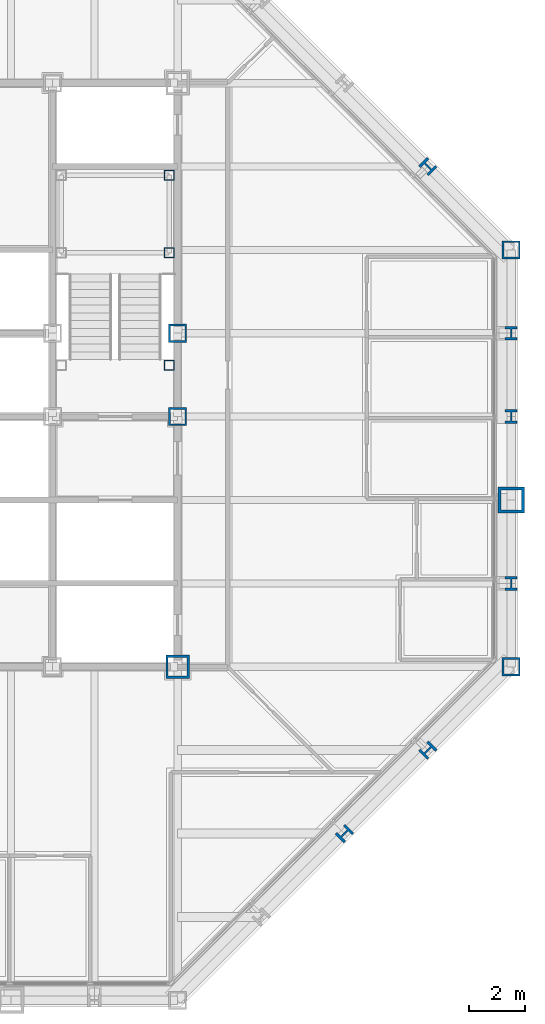
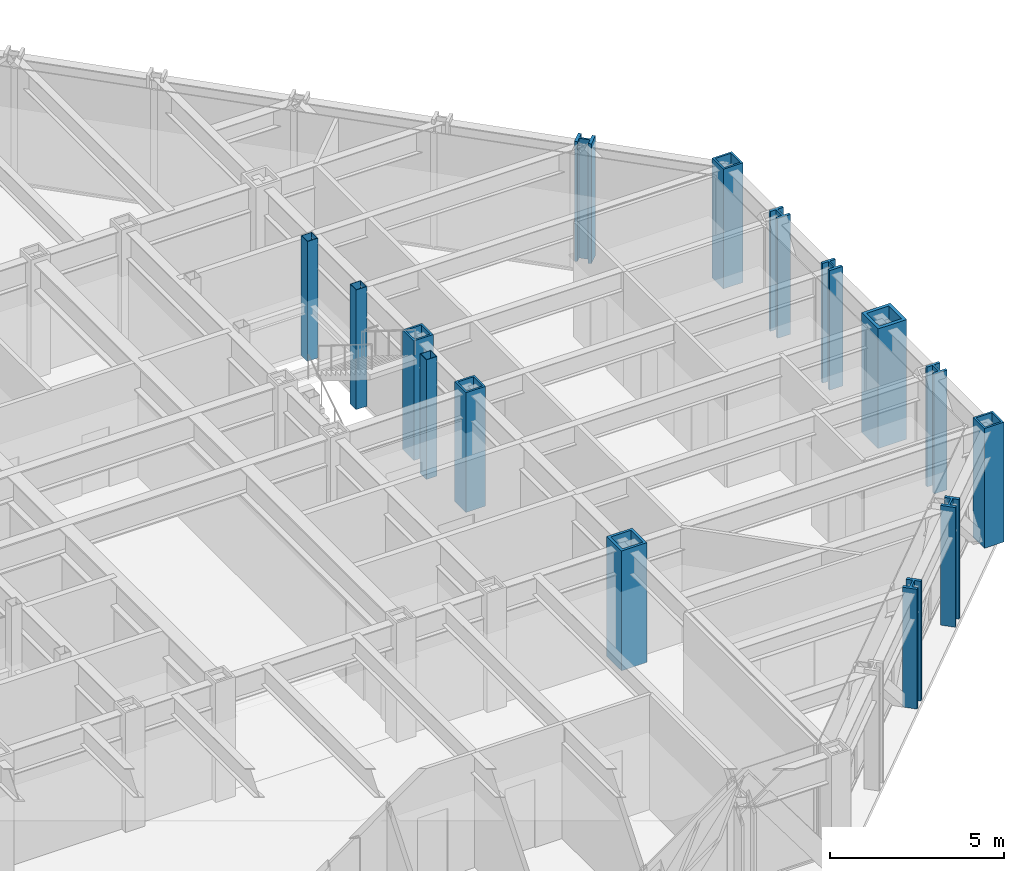
# One storey, part 2 of 15: 15 columns.
"""IFC4 building model written with IfcOpenShell, lengths in metres."""

from ifc_helpers import new_model, si_unit, direction, frame, origin, origin_2d, place, context, subcontext, project, spatial, hollow_rectangle, i_section, extrude, material, material_profile, profile_set, type_object, element, save


model = new_model("IFC4")

# Units and contexts
model_context = context("Model", 3, precision=1e-05, world=origin(), true_north=direction((0.0, 1.0)))
body_context = subcontext(model_context, "Body", "Model", "MODEL_VIEW")
ifc_project = project(units=[si_unit("LENGTHUNIT", "METRE"), si_unit("AREAUNIT", "SQUARE_METRE"), si_unit("VOLUMEUNIT", "CUBIC_METRE"), si_unit("PLANEANGLEUNIT", "RADIAN"), si_unit("MASSUNIT", "GRAM", prefix="KILO")], contexts=[model_context])

# Site, building, storey
site_placement = place(None, origin())
site = spatial("IfcSite", under=ifc_project, at=site_placement, CompositionType="ELEMENT")
building_placement = place(site_placement, origin())
building = spatial("IfcBuilding", under=site, at=building_placement, Name="Chuquiago Exchange Tower", CompositionType="ELEMENT")
storey_placement = place(building_placement, frame((0.0, 0.0, 192.89990234375)))
storey = spatial("IfcBuildingStorey", under=building, at=storey_placement, Name="L42", CompositionType="ELEMENT", Elevation=192.89990234375)

# Columns
ifc_material_1 = material(Name="Steel ASTM A992", Category="steel")
ifc_material_profile_1 = material_profile(ifc_material_1, i_section(OverallWidth=0.431884765625, OverallDepth=0.497802734375, WebThickness=0.0556640625, FlangeThickness=0.0888671875, at=origin_2d()), Name="W14X500")
ifc_profile_set_1 = profile_set([ifc_material_profile_1], Name="Steel ASTM A992")
column_type_1 = type_object("IfcColumnType", Name="C4 W14X500", PredefinedType="COLUMN", material=ifc_profile_set_1)
for number, where, z_axis, x_axis, name in (
    (1, (45.0, 15.0, 0.0), (0.0, 0.0, 1.0), (1.0, 0.0, 0.0), "COL-L42-45_15"),
    (2, (45.0, 21.0, 0.0), (0.0, 0.0, 1.0), (1.0, 0.0, 0.0), "COL-L42-45_21"),
    (3, (45.0, 24.0, 0.0), (0.0, 0.0, 1.0), (1.0, 0.0, 0.0), "COL-L42-45_24"),
):
    element("IfcColumn", number, at=place(storey_placement, frame(where, z_axis=z_axis, x_axis=x_axis)), inside=storey, type_object=column_type_1, Name=name, PredefinedType="COLUMN", context=body_context, shape_type="SweptSolid", body=[
        extrude(i_section(OverallWidth=0.431884765625, OverallDepth=0.497802734375, WebThickness=0.0556640625, FlangeThickness=0.0888671875, at=origin_2d()), origin(), (0.0, 0.0, 1.0), 4.2001953125),
    ])
ifc_material_2 = material(Name="Steel ASTM A572 Grade 50", Category="steel")
ifc_material_profile_2 = material_profile(ifc_material_2, hollow_rectangle(XDim=0.64990234375, YDim=0.64990234375, WallThickness=0.06494140625, at=origin_2d()), Name="BOX650X650X65")
ifc_profile_set_2 = profile_set([ifc_material_profile_2], Name="Steel ASTM A572 Grade 50")
column_type_2 = type_object("IfcColumnType", Name="CC4 BOX650X650X65", PredefinedType="COLUMN", material=ifc_profile_set_2)
for number, where, z_axis, x_axis, name in (
    (4, (33.0, 21.0, 0.0), (0.0, 0.0, 1.0), (1.0, 0.0, 0.0), "CCOL-L42-33_21"),
    (5, (33.0, 24.0, 0.0), (0.0, 0.0, 1.0), (1.0, 0.0, 0.0), "CCOL-L42-33_24"),
):
    element("IfcColumn", number, at=place(storey_placement, frame(where, z_axis=z_axis, x_axis=x_axis)), inside=storey, type_object=column_type_2, Name=name, PredefinedType="COLUMN", context=body_context, shape_type="SweptSolid", body=[
        extrude(hollow_rectangle(XDim=0.64990234375, YDim=0.64990234375, WallThickness=0.06494140625, at=origin_2d()), origin(), (0.0, 0.0, 1.0), 4.2001953125),
    ])
ifc_material_3 = material(Name="Steel ASTM A572 Grade 50", Category="steel")
ifc_material_profile_3 = material_profile(ifc_material_3, hollow_rectangle(XDim=0.85009765625, YDim=0.85009765625, WallThickness=0.0849609375, at=origin_2d()), Name="BOX850X850X85")
ifc_profile_set_3 = profile_set([ifc_material_profile_3], Name="Steel ASTM A572 Grade 50")
column_type_3 = type_object("IfcColumnType", Name="CC6 BOX850X850X85", PredefinedType="COLUMN", material=ifc_profile_set_3)
column_1_placement = place(storey_placement, frame((33.0, 12.0, 0.0), z_axis=(0.0, 0.0, 1.0), x_axis=(1.0, 0.0, 0.0)))
element("IfcColumn", 6, at=column_1_placement, inside=storey, type_object=column_type_3, Name="CCOL-L42-33_12", PredefinedType="COLUMN", context=body_context, shape_type="SweptSolid", body=[
    extrude(hollow_rectangle(XDim=0.85009765625, YDim=0.85009765625, WallThickness=0.0849609375, at=origin_2d()), origin(), (0.0, 0.0, 1.0), 4.2001953125),
])
ifc_material_4 = material(Name="Steel ASTM A992", Category="steel")
ifc_material_profile_4 = material_profile(ifc_material_4, i_section(OverallWidth=0.436767578125, OverallDepth=0.51318359375, WebThickness=0.060546875, FlangeThickness=0.096923828125, at=origin_2d()), Name="W14X550")
ifc_profile_set_4 = profile_set([ifc_material_profile_4], Name="Steel ASTM A992")
column_type_4 = type_object("IfcColumnType", Name="CK4 W14X550", PredefinedType="COLUMN", material=ifc_profile_set_4)
for number, where, z_axis, x_axis, name in (
    (7, (39.0, 6.0, 0.0), (0.0, 0.0, 1.0), (0.707106781187, -0.707106781187, 0.0), "COL-L42-39_6"),
    (8, (42.0, 9.0, 0.0), (0.0, 0.0, 1.0), (0.707106781187, -0.707106781187, 0.0), "COL-L42-42_9"),
    (9, (42.0, 30.0, 0.0), (0.0, 0.0, 1.0), (0.707106781187, 0.707106781187, 0.0), "COL-L42-42_30"),
):
    element("IfcColumn", number, at=place(storey_placement, frame(where, z_axis=z_axis, x_axis=x_axis)), inside=storey, type_object=column_type_4, Name=name, PredefinedType="COLUMN", context=body_context, shape_type="SweptSolid", body=[
        extrude(i_section(OverallWidth=0.436767578125, OverallDepth=0.51318359375, WebThickness=0.060546875, FlangeThickness=0.096923828125, at=origin_2d()), origin(), (0.0, 0.0, 1.0), 4.2001953125),
    ])
ifc_material_5 = material(Name="Steel ASTM A572 Grade 50", Category="steel")
ifc_material_profile_5 = material_profile(ifc_material_5, hollow_rectangle(XDim=0.64990234375, YDim=0.64990234375, WallThickness=0.06494140625, at=origin_2d()), Name="BOX650X650X65")
ifc_profile_set_5 = profile_set([ifc_material_profile_5], Name="Steel ASTM A572 Grade 50")
column_type_5 = type_object("IfcColumnType", Name="CN2 BOX650X650X65", PredefinedType="COLUMN", material=ifc_profile_set_5)
for number, where, z_axis, x_axis, name in (
    (10, (45.0, 12.0, 0.0), (0.0, 0.0, 1.0), (1.0, 0.0, 0.0), "COL-L42-45_12"),
    (11, (45.0, 27.0, 0.0), (0.0, 0.0, 1.0), (1.0, 0.0, 0.0), "COL-L42-45_27"),
):
    element("IfcColumn", number, at=place(storey_placement, frame(where, z_axis=z_axis, x_axis=x_axis)), inside=storey, type_object=column_type_5, Name=name, PredefinedType="COLUMN", context=body_context, shape_type="SweptSolid", body=[
        extrude(hollow_rectangle(XDim=0.64990234375, YDim=0.64990234375, WallThickness=0.06494140625, at=origin_2d()), origin(), (0.0, 0.0, 1.0), 4.2001953125),
    ])
ifc_material_6 = material(Name="Steel ASTM A572 Grade 42", Category="steel")
ifc_material_profile_6 = material_profile(ifc_material_6, hollow_rectangle(XDim=0.949951171875, YDim=0.949951171875, WallThickness=0.110107421875, at=origin_2d()), Name="BOX950X950X110")
ifc_profile_set_6 = profile_set([ifc_material_profile_6], Name="Steel ASTM A572 Grade 42")
column_type_6 = type_object("IfcColumnType", Name="CT1 BOX950X950X110", PredefinedType="COLUMN", material=ifc_profile_set_6)
column_2_placement = place(storey_placement, frame((45.0, 18.0, 0.0), z_axis=(0.0, 0.0, 1.0), x_axis=(1.0, 0.0, 0.0)))
element("IfcColumn", 12, at=column_2_placement, inside=storey, type_object=column_type_6, Name="COL-L42-45_18", PredefinedType="COLUMN", context=body_context, shape_type="SweptSolid", body=[
    extrude(hollow_rectangle(XDim=0.949951171875, YDim=0.949951171875, WallThickness=0.110107421875, at=origin_2d()), origin(), (0.0, 0.0, 1.0), 4.2001953125),
])
ifc_material_7 = material(Name="Steel ASTM A500 Grade C", Category="steel")
ifc_material_profile_7 = material_profile(ifc_material_7, hollow_rectangle(XDim=0.355712890625, YDim=0.355712890625, WallThickness=0.0146484375, at=origin_2d()), Name="HSS14X14X5/8")
ifc_profile_set_7 = profile_set([ifc_material_profile_7], Name="Steel ASTM A500 Grade C")
column_type_7 = type_object("IfcColumnType", Name="PT2 HSS14X14X5/8", PredefinedType="COLUMN", material=ifc_profile_set_7)
for number, where, z_axis, x_axis, name in (
    (13, (32.68994140625, 29.68994140625, 0.0), (0.0, 0.0, 1.0), (1.0, 0.0, 0.0), "Stair ST2 L42 landing post"),
    (14, (32.68994140625, 26.889892578125, 0.0), (0.0, 0.0, 1.0), (1.0, 0.0, 0.0), "Stair ST2 L42 landing post"),
    (15, (32.68994140625, 22.85009765625, 0.0), (0.0, 0.0, 1.0), (1.0, 0.0, 0.0), "Stair ST2 L42 landing post"),
):
    element("IfcColumn", number, at=place(storey_placement, frame(where, z_axis=z_axis, x_axis=x_axis)), inside=storey, type_object=column_type_7, Name=name, PredefinedType="COLUMN", context=body_context, shape_type="SweptSolid", body=[
        extrude(hollow_rectangle(XDim=0.355712890625, YDim=0.355712890625, WallThickness=0.0146484375, at=origin_2d()), origin(), (0.0, 0.0, 1.0), 4.2001953125),
    ])

save(model, "model.ifc")
